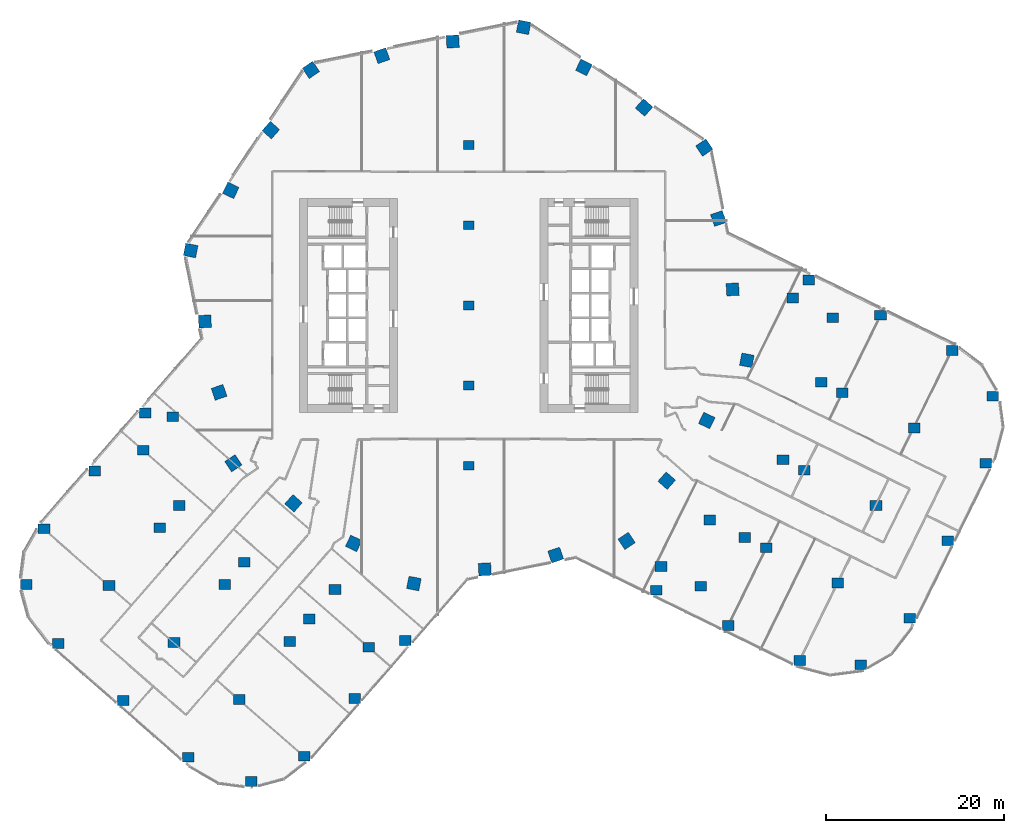
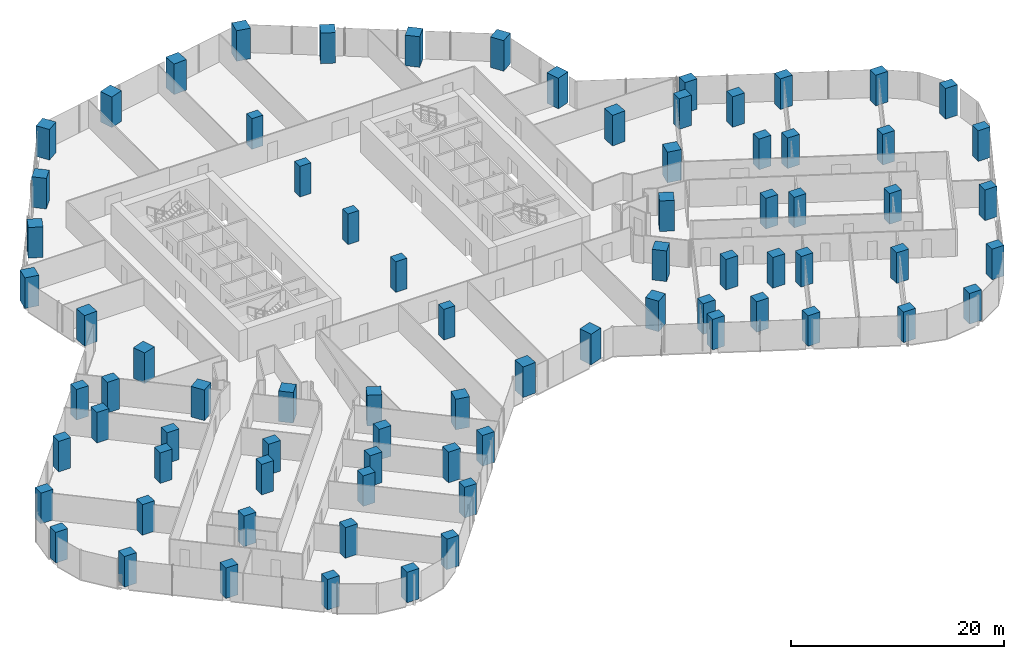
# One storey, part 1 of 38: 78 columns.
"""IFC4 building model written with IfcOpenShell, lengths in metres."""

from ifc_helpers import new_model, si_unit, direction, frame, origin, origin_2d, place, context, subcontext, project, spatial, rectangle, extrude, material, material_profile, profile_set, type_object, element, save


model = new_model("IFC4")

# Units and contexts
model_context = context("Model", 3, precision=1e-05, world=origin(), true_north=direction((0.0, 1.0)))
body_context = subcontext(model_context, "Body", "Model", "MODEL_VIEW")
ifc_project = project(units=[si_unit("LENGTHUNIT", "METRE"), si_unit("AREAUNIT", "SQUARE_METRE"), si_unit("VOLUMEUNIT", "CUBIC_METRE"), si_unit("PLANEANGLEUNIT", "RADIAN"), si_unit("MASSUNIT", "GRAM", prefix="KILO")], contexts=[model_context])

# Site, building, storey
site_placement = place(None, origin())
site = spatial("IfcSite", under=ifc_project, at=site_placement, CompositionType="ELEMENT")
building_placement = place(site_placement, origin())
building = spatial("IfcBuilding", under=site, at=building_placement, Name="Orlundy Tower", CompositionType="ELEMENT")
storey_placement = place(building_placement, frame((0.0, 0.0, 62.300048828125)))
storey = spatial("IfcBuildingStorey", under=building, at=storey_placement, Name="L14", CompositionType="ELEMENT", Elevation=62.300048828125)

# Columns
ifc_material_1 = material(Name="Concrete C80/95", Category="concrete")
ifc_material_profile_1 = material_profile(ifc_material_1, rectangle(XDim=1.199951171875, YDim=1.0, at=origin_2d()), Name="RC1200X1000")
ifc_profile_set_1 = profile_set([ifc_material_profile_1], Name="Concrete C80/95")
column_type_1 = type_object("IfcColumnType", Name="RC COLUMN RC1200X1000 C80/95", PredefinedType="COLUMN", material=ifc_profile_set_1)
for number, where, z_axis, x_axis, name in (
    (1, (0.0, -18.0, 0.0), (0.0, 0.0, 1.0), (1.0, 0.0, 0.0), "Column C-M1 L14"),
    (2, (0.0, -9.0, 0.0), (0.0, 0.0, 1.0), (1.0, 0.0, 0.0), "Column C-M2 L14"),
    (3, (0.0, 0.0, 0.0), (0.0, 0.0, 1.0), (1.0, 0.0, 0.0), "Column C-M3 L14"),
    (4, (0.0, 9.0, 0.0), (0.0, 0.0, 1.0), (1.0, 0.0, 0.0), "Column C-M4 L14"),
    (5, (0.0, 18.0, 0.0), (0.0, 0.0, 1.0), (1.0, 0.0, 0.0), "Column C-M5 L14"),
):
    element("IfcColumn", number, at=place(storey_placement, frame(where, z_axis=z_axis, x_axis=x_axis)), inside=storey, type_object=column_type_1, Name=name, PredefinedType="COLUMN", context=body_context, shape_type="SweptSolid", body=[
        extrude(rectangle(XDim=1.199951171875, YDim=1.0, at=origin_2d()), origin(), (0.0, 0.0, 1.0), 3.5),
    ])
ifc_material_2 = material(Name="Concrete C80/95", Category="concrete")
ifc_material_profile_2 = material_profile(ifc_material_2, rectangle(XDim=1.300048828125, YDim=1.10009765625, at=origin_2d()), Name="RC1300X1100")
ifc_profile_set_2 = profile_set([ifc_material_profile_2], Name="Concrete C80/95")
column_type_2 = type_object("IfcColumnType", Name="RC COLUMN RC1300X1100 C80/95", PredefinedType="COLUMN", material=ifc_profile_set_2)
for number, where, z_axis, x_axis, name in (
    (6, (21.06298828125, -31.964111328125, 0.0), (0.0, 0.0, 1.0), (1.0, 0.0, 0.0), "Column C-A1-1 L14"),
    (7, (29.111083984375, -35.91796875, 0.0), (0.0, 0.0, 1.0), (1.0, 0.0, 0.0), "Column C-A1-2 L14"),
    (8, (37.157958984375, -39.873046875, 0.0), (0.0, 0.0, 1.0), (1.0, 0.0, 0.0), "Column C-A1-3 L14"),
    (9, (44.01611328125, -40.337890625, 0.0), (0.0, 0.0, 1.0), (1.0, 0.0, 0.0), "Column C-A1-5 L14"),
    (10, (26.06591796875, -31.51806640625, 0.0), (0.0, 0.0, 1.0), (1.0, 0.0, 0.0), "Column C-A1-6 L14"),
    (11, (21.577880859375, -29.31298828125, 0.0), (0.0, 0.0, 1.0), (1.0, 0.0, 0.0), "Column C-A1-7 L14"),
    (12, (33.387939453125, -27.212890625, 0.0), (0.0, 0.0, 1.0), (1.0, 0.0, 0.0), "Column C-A2-2 L14"),
    (13, (41.43603515625, -31.1669921875, 0.0), (0.0, 0.0, 1.0), (1.0, 0.0, 0.0), "Column C-A2-3 L14"),
    (14, (49.48388671875, -35.12109375, 0.0), (0.0, 0.0, 1.0), (1.0, 0.0, 0.0), "Column C-A2-5 L14"),
    (15, (30.9951171875, -26.037109375, 0.0), (0.0, 0.0, 1.0), (1.0, 0.0, 0.0), "Column C-A2-6 L14"),
    (16, (27.0458984375, -24.095947265625, 0.0), (0.0, 0.0, 1.0), (1.0, 0.0, 0.0), "Column C-A2-7 L14"),
    (17, (37.666015625, -18.507080078125, 0.0), (0.0, 0.0, 1.0), (1.0, 0.0, 0.0), "Column C-A3-2 L14"),
    (18, (45.712890625, -22.4609375, 0.0), (0.0, 0.0, 1.0), (1.0, 0.0, 0.0), "Column C-A3-3 L14"),
    (19, (53.760986328125, -26.4150390625, 0.0), (0.0, 0.0, 1.0), (1.0, 0.0, 0.0), "Column C-A3-5 L14"),
    (20, (35.27197265625, -17.3310546875, 0.0), (0.0, 0.0, 1.0), (1.0, 0.0, 0.0), "Column C-A3-6 L14"),
    (21, (41.943115234375, -9.801025390625, 0.0), (0.0, 0.0, 1.0), (1.0, 0.0, 0.0), "Column C-A4-2 L14"),
    (22, (49.990966796875, -13.7548828125, 0.0), (0.0, 0.0, 1.0), (1.0, 0.0, 0.0), "Column C-A4-3 L14"),
    (23, (58.0390625, -17.708984375, 0.0), (0.0, 0.0, 1.0), (1.0, 0.0, 0.0), "Column C-A4-5 L14"),
    (24, (39.550048828125, -8.625, 0.0), (0.0, 0.0, 1.0), (1.0, 0.0, 0.0), "Column C-A4-6 L14"),
    (25, (38.173095703125, 2.85888671875, 0.0), (0.0, 0.0, 1.0), (1.0, 0.0, 0.0), "Column C-A5-1 L14"),
    (26, (46.220947265625, -1.094970703125, 0.0), (0.0, 0.0, 1.0), (1.0, 0.0, 0.0), "Column C-A5-2 L14"),
    (27, (54.26904296875, -5.049072265625, 0.0), (0.0, 0.0, 1.0), (1.0, 0.0, 0.0), "Column C-A5-3 L14"),
    (28, (58.826904296875, -10.193115234375, 0.0), (0.0, 0.0, 1.0), (1.0, 0.0, 0.0), "Column C-A5-5 L14"),
    (29, (40.876953125, -1.3740234375, 0.0), (0.0, 0.0, 1.0), (1.0, 0.0, 0.0), "Column C-A5-6 L14"),
    (30, (36.388916015625, 0.8310546875, 0.0), (0.0, 0.0, 1.0), (1.0, 0.0, 0.0), "Column C-A5-7 L14"),
    (31, (-36.326904296875, -12.072021484375, 0.0), (0.0, 0.0, 1.0), (1.0, 0.0, 0.0), "Column C-B1-1 L14"),
    (32, (-42.009033203125, -18.571044921875, 0.0), (0.0, 0.0, 1.0), (1.0, 0.0, 0.0), "Column C-B1-2 L14"),
    (33, (-47.68896484375, -25.072998046875, 0.0), (0.0, 0.0, 1.0), (1.0, 0.0, 0.0), "Column C-B1-3 L14"),
    (34, (-49.697021484375, -31.322998046875, 0.0), (0.0, 0.0, 1.0), (1.0, 0.0, 0.0), "Column C-B1-5 L14"),
    (35, (-36.531982421875, -16.26708984375, 0.0), (0.0, 0.0, 1.0), (1.0, 0.0, 0.0), "Column C-B1-6 L14"),
    (36, (-33.240966796875, -12.5029296875, 0.0), (0.0, 0.0, 1.0), (1.0, 0.0, 0.0), "Column C-B1-7 L14"),
    (37, (-34.70703125, -24.9560546875, 0.0), (0.0, 0.0, 1.0), (1.0, 0.0, 0.0), "Column C-B2-2 L14"),
    (38, (-40.389892578125, -31.4560546875, 0.0), (0.0, 0.0, 1.0), (1.0, 0.0, 0.0), "Column C-B2-3 L14"),
    (39, (-46.072998046875, -37.955078125, 0.0), (0.0, 0.0, 1.0), (1.0, 0.0, 0.0), "Column C-B2-5 L14"),
    (40, (-32.512939453125, -22.447021484375, 0.0), (0.0, 0.0, 1.0), (1.0, 0.0, 0.0), "Column C-B2-6 L14"),
    (41, (-27.405029296875, -31.341064453125, 0.0), (0.0, 0.0, 1.0), (1.0, 0.0, 0.0), "Column C-B3-2 L14"),
    (42, (-33.087890625, -37.841064453125, 0.0), (0.0, 0.0, 1.0), (1.0, 0.0, 0.0), "Column C-B3-3 L14"),
    (43, (-38.77099609375, -44.340087890625, 0.0), (0.0, 0.0, 1.0), (1.0, 0.0, 0.0), "Column C-B3-5 L14"),
    (44, (-25.2109375, -28.83203125, 0.0), (0.0, 0.0, 1.0), (1.0, 0.0, 0.0), "Column C-B3-6 L14"),
    (45, (-20.10302734375, -37.72705078125, 0.0), (0.0, 0.0, 1.0), (1.0, 0.0, 0.0), "Column C-B4-2 L14"),
    (46, (-25.785888671875, -44.22607421875, 0.0), (0.0, 0.0, 1.0), (1.0, 0.0, 0.0), "Column C-B4-3 L14"),
    (47, (-31.468994140625, -50.72509765625, 0.0), (0.0, 0.0, 1.0), (1.0, 0.0, 0.0), "Column C-B4-5 L14"),
    (48, (-17.908935546875, -35.217041015625, 0.0), (0.0, 0.0, 1.0), (1.0, 0.0, 0.0), "Column C-B4-6 L14"),
    (49, (-15.012939453125, -31.905029296875, 0.0), (0.0, 0.0, 1.0), (1.0, 0.0, 0.0), "Column C-B4-7 L14"),
    (50, (-7.117919921875, -37.612060546875, 0.0), (0.0, 0.0, 1.0), (1.0, 0.0, 0.0), "Column C-B5-1 L14"),
    (51, (-12.801025390625, -44.112060546875, 0.0), (0.0, 0.0, 1.0), (1.0, 0.0, 0.0), "Column C-B5-2 L14"),
    (52, (-18.487060546875, -50.60791015625, 0.0), (0.0, 0.0, 1.0), (1.0, 0.0, 0.0), "Column C-B5-3 L14"),
    (53, (-24.4130859375, -53.431884765625, 0.0), (0.0, 0.0, 1.0), (1.0, 0.0, 0.0), "Column C-B5-5 L14"),
    (54, (-11.248046875, -38.3759765625, 0.0), (0.0, 0.0, 1.0), (1.0, 0.0, 0.0), "Column C-B5-6 L14"),
):
    element("IfcColumn", number, at=place(storey_placement, frame(where, z_axis=z_axis, x_axis=x_axis)), inside=storey, type_object=column_type_2, Name=name, PredefinedType="COLUMN", context=body_context, shape_type="SweptSolid", body=[
        extrude(rectangle(XDim=1.300048828125, YDim=1.10009765625, at=origin_2d()), origin(), (0.0, 0.0, 1.0), 3.5),
    ])
ifc_material_3 = material(Name="Concrete C80/95", Category="concrete")
ifc_material_profile_3 = material_profile(ifc_material_3, rectangle(XDim=1.39990234375, YDim=1.39990234375, at=origin_2d()), Name="RC1400X1400")
ifc_profile_set_3 = profile_set([ifc_material_profile_3], Name="Concrete C80/95")
column_type_3 = type_object("IfcColumnType", Name="RC COLUMN RC1400X1400 C80/95", PredefinedType="COLUMN", material=ifc_profile_set_3)
for number, where, z_axis, x_axis, name in (
    (55, (26.43408203125, 17.718017578125, 0.0), (0.0, 0.0, 1.0), (0.830663928188, 0.5567741359, 0.0), "Column C-H01 L14"),
    (56, (28.029052734375, 9.758056640625, 0.0), (0.0, 0.0, 1.0), (0.94440506567, 0.328784233101, 0.0), "Column C-H02 L14"),
    (57, (29.6240234375, 1.797119140625, 0.0), (0.0, 0.0, 1.0), (0.99816557001, 0.060543330317, 0.0), "Column C-H03 L14"),
    (58, (31.219970703125, -6.1630859375, 0.0), (0.0, 0.0, 1.0), (0.981066863593, -0.193669329425, 0.0), "Column C-H04 L14"),
    (59, (26.718994140625, -12.919921875, 0.0), (0.0, 0.0, 1.0), (0.900273189172, -0.435325378147, 0.0), "Column C-H05 L14"),
    (60, (22.218994140625, -19.677001953125, 0.0), (0.0, 0.0, 1.0), (0.748631814126, -0.66298597789, 0.0), "Column C-H06 L14"),
    (61, (17.718017578125, -26.43408203125, 0.0), (0.0, 0.0, 1.0), (0.5567741359, -0.830663928188, 0.0), "Column C-H07 L14"),
    (62, (9.758056640625, -28.029052734375, 0.0), (0.0, 0.0, 1.0), (0.328784233101, -0.94440506567, 0.0), "Column C-H08 L14"),
    (63, (1.797119140625, -29.6240234375, 0.0), (0.0, 0.0, 1.0), (0.060543330317, -0.99816557001, 0.0), "Column C-H09 L14"),
    (64, (-6.1630859375, -31.219970703125, 0.0), (0.0, 0.0, 1.0), (-0.193669329425, -0.981066863593, 0.0), "Column C-H10 L14"),
    (65, (-12.919921875, -26.718994140625, 0.0), (0.0, 0.0, 1.0), (-0.435325378147, -0.900273189172, 0.0), "Column C-H11 L14"),
    (66, (-19.677001953125, -22.218994140625, 0.0), (0.0, 0.0, 1.0), (-0.66298597789, -0.748631814126, 0.0), "Column C-H12 L14"),
    (67, (-26.43408203125, -17.718017578125, 0.0), (0.0, 0.0, 1.0), (-0.830663928188, -0.5567741359, 0.0), "Column C-H13 L14"),
    (68, (-28.029052734375, -9.758056640625, 0.0), (0.0, 0.0, 1.0), (-0.94440506567, -0.328784233101, 0.0), "Column C-H14 L14"),
    (69, (-29.6240234375, -1.797119140625, 0.0), (0.0, 0.0, 1.0), (-0.99816557001, -0.060543330317, 0.0), "Column C-H15 L14"),
    (70, (-31.219970703125, 6.1630859375, 0.0), (0.0, 0.0, 1.0), (-0.981066863593, 0.193669329425, 0.0), "Column C-H16 L14"),
    (71, (-26.718994140625, 12.919921875, 0.0), (0.0, 0.0, 1.0), (-0.900273189172, 0.435325378147, 0.0), "Column C-H17 L14"),
    (72, (-22.218994140625, 19.677001953125, 0.0), (0.0, 0.0, 1.0), (-0.748631814126, 0.66298597789, 0.0), "Column C-H18 L14"),
    (73, (-17.718017578125, 26.43408203125, 0.0), (0.0, 0.0, 1.0), (-0.5567741359, 0.830663928188, 0.0), "Column C-H19 L14"),
    (74, (-9.758056640625, 28.029052734375, 0.0), (0.0, 0.0, 1.0), (-0.328784233101, 0.94440506567, 0.0), "Column C-H20 L14"),
    (75, (-1.797119140625, 29.6240234375, 0.0), (0.0, 0.0, 1.0), (-0.060543330317, 0.99816557001, 0.0), "Column C-H21 L14"),
    (76, (6.1630859375, 31.219970703125, 0.0), (0.0, 0.0, 1.0), (0.193669329425, 0.981066863593, 0.0), "Column C-H22 L14"),
    (77, (12.919921875, 26.718994140625, 0.0), (0.0, 0.0, 1.0), (0.435325378147, 0.900273189172, 0.0), "Column C-H23 L14"),
    (78, (19.677001953125, 22.218994140625, 0.0), (0.0, 0.0, 1.0), (0.66298597789, 0.748631814126, 0.0), "Column C-H24 L14"),
):
    element("IfcColumn", number, at=place(storey_placement, frame(where, z_axis=z_axis, x_axis=x_axis)), inside=storey, type_object=column_type_3, Name=name, PredefinedType="COLUMN", context=body_context, shape_type="SweptSolid", body=[
        extrude(rectangle(XDim=1.39990234375, YDim=1.39990234375, at=origin_2d()), origin(), (0.0, 0.0, 1.0), 3.5),
    ])

save(model, "model.ifc")
